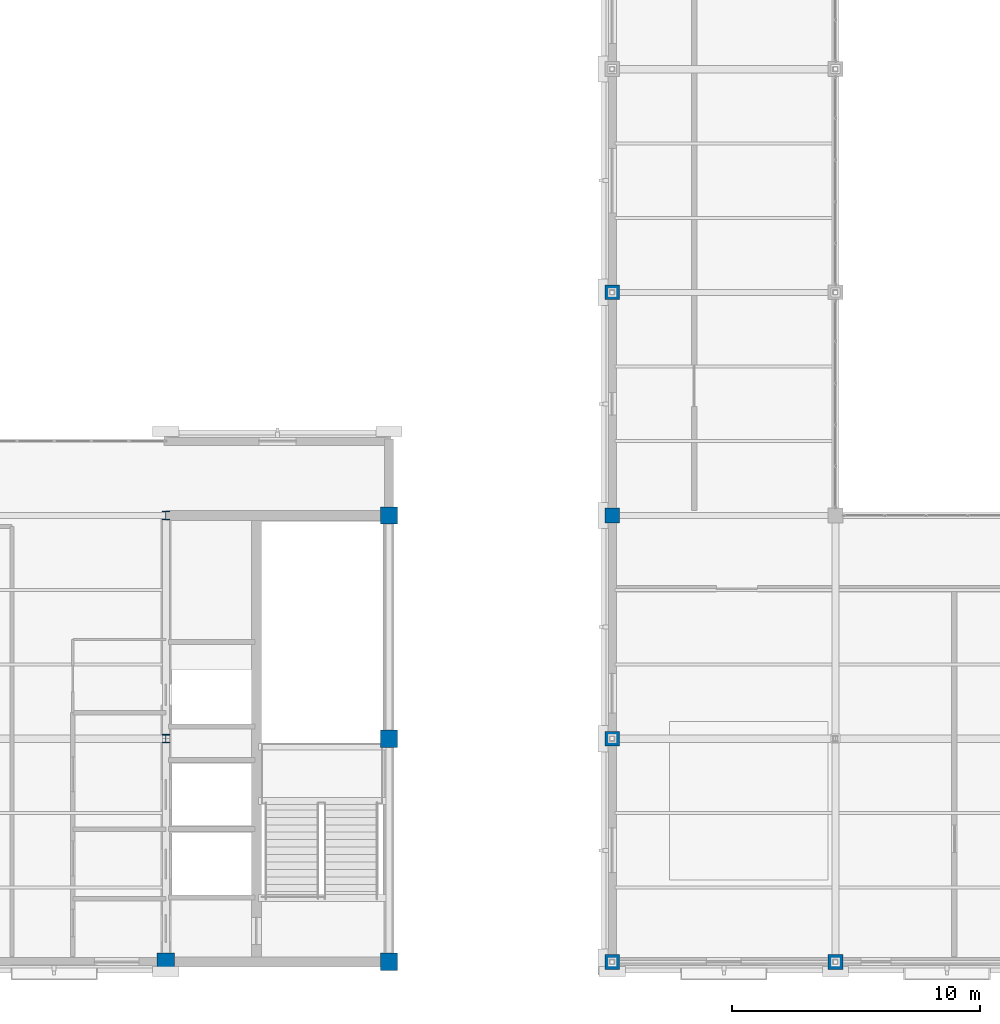
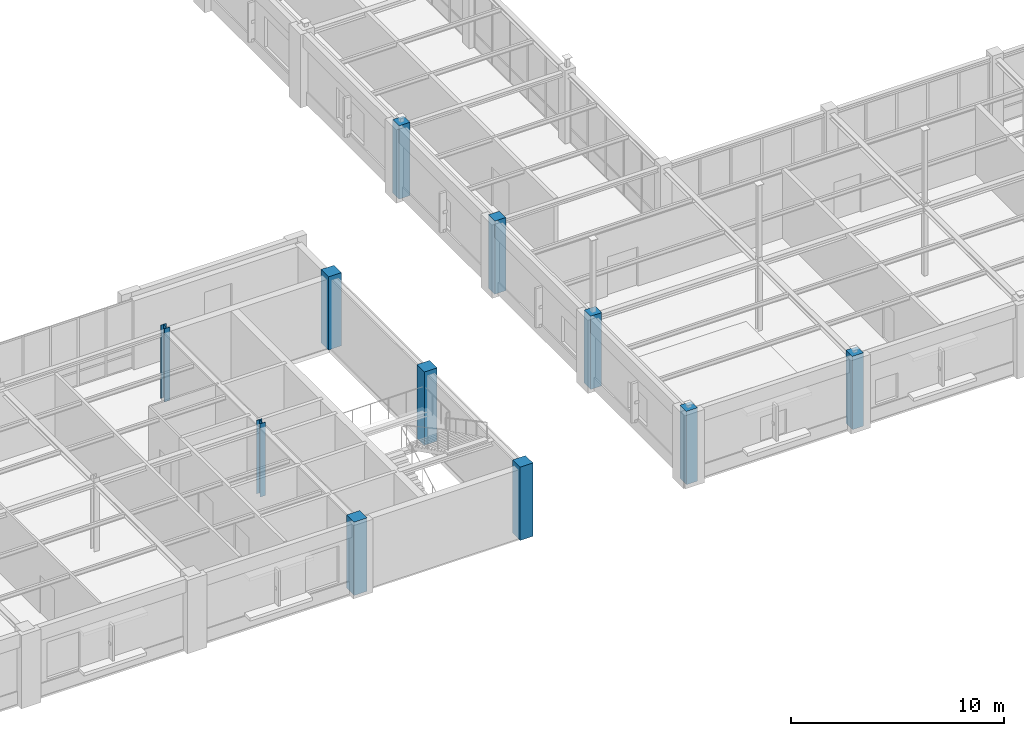
# One storey, part 4 of 97: 11 columns.
"""IFC4 building model written with IfcOpenShell, lengths in metres."""

from ifc_helpers import new_model, si_unit, direction, frame, origin, origin_2d, place, context, subcontext, project, spatial, rectangle, i_section, extrude, material, material_profile, profile_set, type_object, element, save


model = new_model("IFC4")

# Units and contexts
model_context = context("Model", 3, precision=1e-05, world=origin(), true_north=direction((0.0, 1.0)))
body_context = subcontext(model_context, "Body", "Model", "MODEL_VIEW")
ifc_project = project(units=[si_unit("LENGTHUNIT", "METRE"), si_unit("AREAUNIT", "SQUARE_METRE"), si_unit("VOLUMEUNIT", "CUBIC_METRE"), si_unit("PLANEANGLEUNIT", "RADIAN"), si_unit("MASSUNIT", "GRAM", prefix="KILO")], contexts=[model_context])

# Site, building, storey
site_placement = place(None, origin())
site = spatial("IfcSite", under=ifc_project, at=site_placement, CompositionType="ELEMENT")
building_placement = place(site_placement, origin())
building = spatial("IfcBuilding", under=site, at=building_placement, Name="Lykobir Media Centre", CompositionType="ELEMENT")
storey_placement = place(building_placement, frame((0.0, 0.0, 23.39990234375)))
storey = spatial("IfcBuildingStorey", under=building, at=storey_placement, Name="L05", CompositionType="ELEMENT", Elevation=23.39990234375)

# Columns
ifc_material_1 = material(Name="Concrete C40/50", Category="concrete")
ifc_material_profile_1 = material_profile(ifc_material_1, rectangle(XDim=0.60009765625, YDim=0.60009765625, at=origin_2d()), Name="RC 600x600")
ifc_profile_set_1 = profile_set([ifc_material_profile_1], Name="Concrete C40/50")
column_type_1 = type_object("IfcColumnType", Name="RC-C600-E", PredefinedType="COLUMN", material=ifc_profile_set_1)
for number, where, z_axis, x_axis, name in (
    (1, (90.0, 0.0, 0.0), (0.0, 0.0, 1.0), (1.0, 0.0, 0.0), "Column COL-L05-0900-0000"),
    (2, (90.0, 9.0, 0.0), (0.0, 0.0, 1.0), (1.0, 0.0, 0.0), "Column COL-L05-0900-0090"),
    (3, (90.0, 18.0, 0.0), (0.0, 0.0, 1.0), (1.0, 0.0, 0.0), "Column COL-L05-0900-0180"),
    (4, (90.0, 27.0, 0.0), (0.0, 0.0, 1.0), (1.0, 0.0, 0.0), "Column COL-L05-0900-0270"),
    (5, (99.0, 0.0, 0.0), (0.0, 0.0, 1.0), (1.0, 0.0, 0.0), "Column COL-L05-0990-0000"),
):
    element("IfcColumn", number, at=place(storey_placement, frame(where, z_axis=z_axis, x_axis=x_axis)), inside=storey, type_object=column_type_1, Name=name, PredefinedType="COLUMN", context=body_context, shape_type="SweptSolid", body=[
        extrude(rectangle(XDim=0.60009765625, YDim=0.60009765625, at=origin_2d()), origin(), (0.0, 0.0, 1.0), 4.2001953125),
    ])
ifc_material_profile_2 = material_profile(ifc_material_1, rectangle(XDim=0.699951171875, YDim=0.699951171875, at=origin_2d()), Name="RC 700x700")
ifc_profile_set_2 = profile_set([ifc_material_profile_2], Name="Concrete C40/50")
column_type_2 = type_object("IfcColumnType", Name="RC-C700-E", PredefinedType="COLUMN", material=ifc_profile_set_2)
for number, where, z_axis, x_axis, name in (
    (6, (72.0, 0.0, 0.0), (0.0, 0.0, 1.0), (1.0, 0.0, 0.0), "Column COL-L05-0720-0000"),
    (7, (81.0, 0.0, 0.0), (0.0, 0.0, 1.0), (1.0, 0.0, 0.0), "Column COL-L05-0810-0000"),
    (8, (81.0, 9.0, 0.0), (0.0, 0.0, 1.0), (1.0, 0.0, 0.0), "Column COL-L05-0810-0090"),
    (9, (81.0, 18.0, 0.0), (0.0, 0.0, 1.0), (1.0, 0.0, 0.0), "Column COL-L05-0810-0180"),
):
    element("IfcColumn", number, at=place(storey_placement, frame(where, z_axis=z_axis, x_axis=x_axis)), inside=storey, type_object=column_type_2, Name=name, PredefinedType="COLUMN", context=body_context, shape_type="SweptSolid", body=[
        extrude(rectangle(XDim=0.699951171875, YDim=0.699951171875, at=origin_2d()), origin(), (0.0, 0.0, 1.0), 4.2001953125),
    ])
ifc_material_2 = material(Name="Steel S355", Category="steel")
ifc_material_profile_3 = material_profile(ifc_material_2, i_section(OverallWidth=0.300048828125, OverallDepth=0.340087890625, WebThickness=0.011962890625, FlangeThickness=0.021484375, at=origin_2d()), Name="HEB 340")
ifc_profile_set_3 = profile_set([ifc_material_profile_3], Name="Steel S355")
column_type_3 = type_object("IfcColumnType", Name="SC-HEB340", PredefinedType="COLUMN", material=ifc_profile_set_3)
column_1_placement = place(storey_placement, frame((72.0, 9.0, 0.0), z_axis=(0.0, 0.0, 1.0), x_axis=(1.0, 0.0, 0.0)))
element("IfcColumn", 10, at=column_1_placement, inside=storey, type_object=column_type_3, Name="Column COL-L05-0720-0090", PredefinedType="COLUMN", context=body_context, shape_type="SweptSolid", body=[
    extrude(i_section(OverallWidth=0.300048828125, OverallDepth=0.340087890625, WebThickness=0.011962890625, FlangeThickness=0.021484375, at=origin_2d()), origin(), (0.0, 0.0, 1.0), 4.2001953125),
])
ifc_material_profile_4 = material_profile(ifc_material_2, i_section(OverallWidth=0.300048828125, OverallDepth=0.360107421875, WebThickness=0.012451171875, FlangeThickness=0.0224609375, at=origin_2d()), Name="HEB 360")
ifc_profile_set_4 = profile_set([ifc_material_profile_4], Name="Steel S355")
column_type_4 = type_object("IfcColumnType", Name="SC-HEB360", PredefinedType="COLUMN", material=ifc_profile_set_4)
column_2_placement = place(storey_placement, frame((72.0, 18.0, 0.0), z_axis=(0.0, 0.0, 1.0), x_axis=(1.0, 0.0, 0.0)))
element("IfcColumn", 11, at=column_2_placement, inside=storey, type_object=column_type_4, Name="Column COL-L05-0720-0180", PredefinedType="COLUMN", context=body_context, shape_type="SweptSolid", body=[
    extrude(i_section(OverallWidth=0.300048828125, OverallDepth=0.360107421875, WebThickness=0.012451171875, FlangeThickness=0.0224609375, at=origin_2d()), origin(), (0.0, 0.0, 1.0), 4.2001953125),
])

save(model, "model.ifc")
